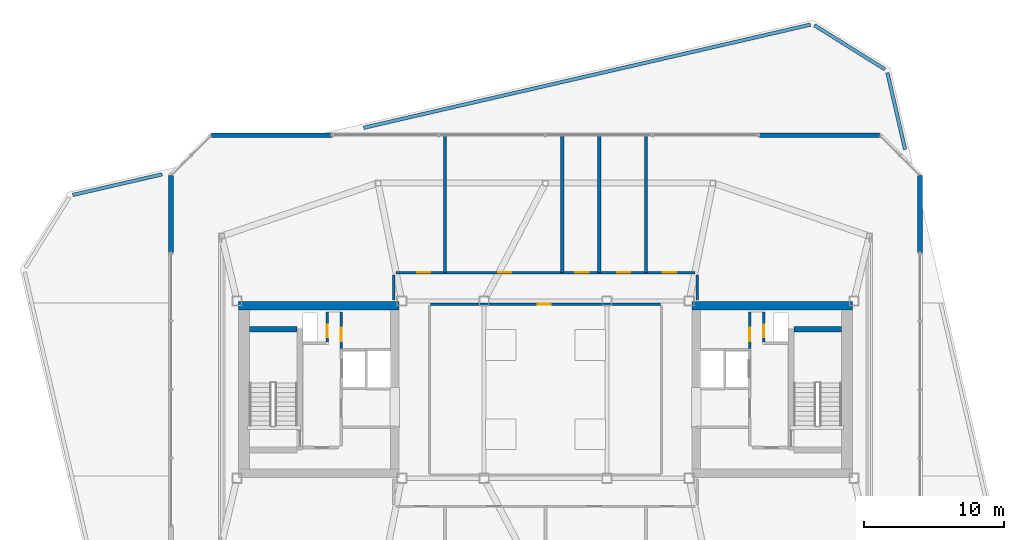
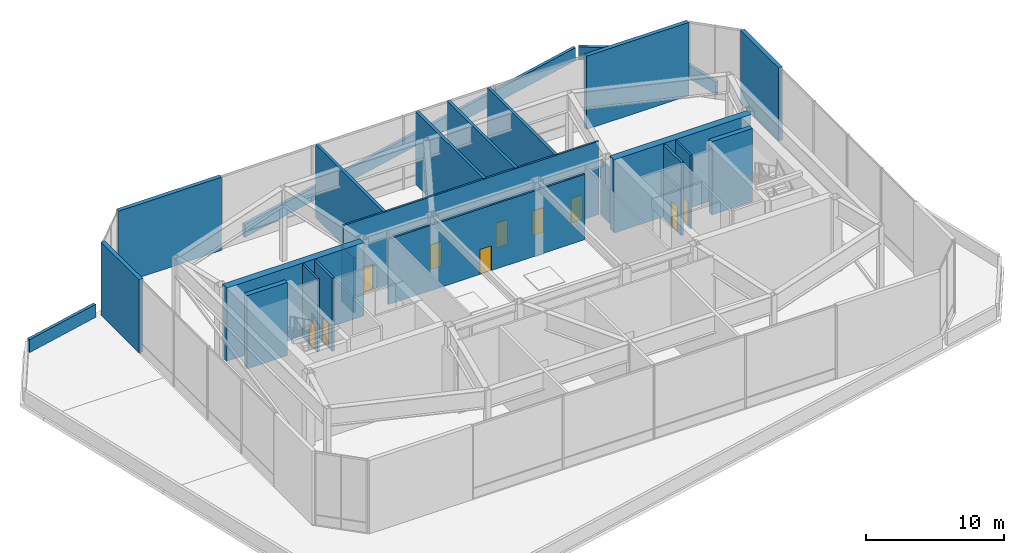
# One storey, part 21 of 25: 24 walls, 10 doors, 10 openings.
"""IFC4 building model written with IfcOpenShell, lengths in metres."""

from ifc_helpers import new_model, si_unit, direction, frame, frame_2d, origin, place, context, subcontext, project, spatial, rectangle, extrude, material, layer, layer_set, type_object, element, fill, save


model = new_model("IFC4")

# Units and contexts
model_context = context("Model", 3, precision=1e-05, world=origin(), true_north=direction((0.0, 1.0)))
body_context = subcontext(model_context, "Body", "Model", "MODEL_VIEW")
ifc_project = project(units=[si_unit("LENGTHUNIT", "METRE"), si_unit("AREAUNIT", "SQUARE_METRE"), si_unit("VOLUMEUNIT", "CUBIC_METRE"), si_unit("PLANEANGLEUNIT", "RADIAN"), si_unit("MASSUNIT", "GRAM", prefix="KILO")], contexts=[model_context])

# Site, building, storey
site_placement = place(None, origin())
site = spatial("IfcSite", under=ifc_project, at=site_placement, CompositionType="ELEMENT")
building_placement = place(site_placement, origin())
building = spatial("IfcBuilding", under=site, at=building_placement, Name="Tavrogorsk Clinical Tower", CompositionType="ELEMENT")
storey_placement = place(building_placement, frame((0.0, 0.0, 333.0)))
storey = spatial("IfcBuildingStorey", under=building, at=storey_placement, Name="L78", CompositionType="ELEMENT", Elevation=333.0)

# Walls
ifc_material_1 = material(Name="Concrete B45 acoustic studio wall", Category="concrete")
ifc_layer_1 = layer(ifc_material_1, 0.239990234375)
ifc_layer_set_1 = layer_set([ifc_layer_1], Name="Concrete B45 acoustic studio wall")
wall_type_1 = type_object("IfcWallType", Name="AcousticWall_240", PredefinedType="PARTITIONING", material=ifc_layer_set_1)
for number, where, z_axis, x_axis, name in (
    (1, (-7.199951171875, 8.385009765625, 0.0), (0.0, 0.0, 1.0), (0.0, 1.0, 0.0), "L78 Crown Partition 3"),
    (2, (7.199951171875, 8.385009765625, 0.0), (0.0, 0.0, 1.0), (0.0, 1.0, 0.0), "L78 Crown Partition 4"),
    (3, (1.199951171875, 8.385009765625, 0.0), (0.0, 0.0, 1.0), (0.0, 1.0, 0.0), "L78 Crown Partition 6"),
    (4, (3.85009765625, 8.385009765625, 0.0), (0.0, 0.0, 1.0), (0.0, 1.0, 0.0), "L78 Crown Partition 7"),
):
    element("IfcWall", number, at=place(storey_placement, frame(where, z_axis=z_axis, x_axis=x_axis)), inside=storey, type_object=wall_type_1, Name=name, PredefinedType="PARTITIONING", context=body_context, shape_type="SweptSolid", body=[
        extrude(rectangle(XDim=9.85498046875, YDim=0.239990234375, at=frame_2d((4.927490234375, 0.0))), origin(), (0.0, 0.0, 1.0), 6.5),
    ])

# Wall, opening, door
ifc_material_2 = material(Name="Concrete B60", Category="concrete")
ifc_layer_2 = layer(ifc_material_2, 0.199951171875)
ifc_layer_set_2 = layer_set([ifc_layer_2], Name="Concrete B60")
wall_type_2 = type_object("IfcWallType", Name="CoreFireWall_200", PredefinedType="SOLIDWALL", material=ifc_layer_set_2)
wall_1_placement = place(storey_placement, frame((-14.639892578125, 2.9599609375, 0.0), z_axis=(0.0, 0.0, 1.0), x_axis=(0.0, 1.0, 0.0)))
wall_1 = element("IfcWall", 5, at=wall_1_placement, inside=storey, type_object=wall_type_2, Name="L78 Core West North Core Room East Wall", PredefinedType="SOLIDWALL", context=body_context, shape_type="SweptSolid", body=[
    extrude(rectangle(XDim=2.60009765625, YDim=0.199951171875, at=frame_2d((1.300048828125, 0.0))), origin(), (0.0, 0.0, 1.0), 6.5),
])
opening_1_placement = place(wall_1_placement, frame((0.52001953125, 0.0, 0.0)))
opening_1 = element("IfcOpeningElement", 6, at=opening_1_placement, cuts=wall_1, Name="Opening ID-02", PredefinedType="OPENING", context=body_context, shape_type="SweptSolid", body=[
    extrude(rectangle(XDim=0.949951171875, YDim=2.199951171875, at=frame_2d((0.47509765625, 1.10009765625))), frame((0.0, 0.10986328125, 0.0), z_axis=(0.0, -1.0, 0.0), x_axis=(1.0, 0.0, 0.0)), (0.0, 0.0, 1.0), 0.219970703125),
])
ifc_material_3 = material(Name="Laminated timber leaf on aluminium frame", Category="wood")
door_type_1 = type_object("IfcDoorType", Name="InteriorDoor_ID02_950", OperationType="NOTDEFINED", PredefinedType="DOOR", material=ifc_material_3)
door_1_placement = place(opening_1_placement, origin())
door_1 = element("IfcDoor", 7, at=door_1_placement, inside=storey, type_object=door_type_1, Name="L78 Core West Core Telemetry Room Door", OperationType="SINGLE_SWING_LEFT", OverallHeight=2.199951171875, OverallWidth=0.949951171875, PredefinedType="DOOR", context=body_context, shape_type="SweptSolid", body=[
    extrude(rectangle(XDim=0.949951171875, YDim=2.199951171875, at=frame_2d((0.47509765625, 1.10009765625))), frame((0.0, 0.02490234375, 0.0), z_axis=(0.0, -1.0, 0.0), x_axis=(1.0, 0.0, 0.0)), (0.0, 0.0, 1.0), 0.050048828125),
])
fill(opening_1, door_1)

wall_2_placement = place(storey_placement, frame((14.639892578125, 2.9599609375, 0.0), z_axis=(0.0, 0.0, 1.0), x_axis=(0.0, 1.0, 0.0)))
wall_2 = element("IfcWall", 8, at=wall_2_placement, inside=storey, type_object=wall_type_2, Name="L78 Core East North Core Room East Wall", PredefinedType="SOLIDWALL", context=body_context, shape_type="SweptSolid", body=[
    extrude(rectangle(XDim=2.60009765625, YDim=0.199951171875, at=frame_2d((1.300048828125, 0.0))), origin(), (0.0, 0.0, 1.0), 6.5),
])
opening_2_placement = place(wall_2_placement, frame((0.52001953125, 0.0, 0.0)))
opening_2 = element("IfcOpeningElement", 9, at=opening_2_placement, cuts=wall_2, Name="Opening ID-02", PredefinedType="OPENING", context=body_context, shape_type="SweptSolid", body=[
    extrude(rectangle(XDim=0.949951171875, YDim=2.199951171875, at=frame_2d((0.47509765625, 1.10009765625))), frame((0.0, 0.10986328125, 0.0), z_axis=(0.0, -1.0, 0.0), x_axis=(1.0, 0.0, 0.0)), (0.0, 0.0, 1.0), 0.219970703125),
])
door_2_placement = place(opening_2_placement, origin())
door_2 = element("IfcDoor", 10, at=door_2_placement, inside=storey, type_object=door_type_1, Name="L78 Core East Core Telemetry Room Door", OperationType="SINGLE_SWING_LEFT", OverallHeight=2.199951171875, OverallWidth=0.949951171875, PredefinedType="DOOR", context=body_context, shape_type="SweptSolid", body=[
    extrude(rectangle(XDim=0.949951171875, YDim=2.199951171875, at=frame_2d((0.47509765625, 1.10009765625))), frame((0.0, 0.02490234375, 0.0), z_axis=(0.0, -1.0, 0.0), x_axis=(1.0, 0.0, 0.0)), (0.0, 0.0, 1.0), 0.050048828125),
])
fill(opening_2, door_2)

# Wall
ifc_material_4 = material(Name="Lightweight concrete blockwork B15", Category="masonry")
ifc_layer_3 = layer(ifc_material_4, 0.159912109375)
ifc_layer_set_3 = layer_set([ifc_layer_3], Name="Lightweight concrete blockwork B15")
wall_type_3 = type_object("IfcWallType", Name="PartitionWall_160", PredefinedType="PARTITIONING", material=ifc_layer_set_3)
wall_3_placement = place(storey_placement, frame((-10.8798828125, 6.419921875, 0.0), z_axis=(0.0, 0.0, 1.0), x_axis=(0.0, 1.0, 0.0)))
element("IfcWall", 11, at=wall_3_placement, inside=storey, type_object=wall_type_3, Name="L78 Crown Corridor Wall 02", PredefinedType="PARTITIONING", context=body_context, shape_type="SweptSolid", body=[
    extrude(rectangle(XDim=1.795166015625, YDim=0.159912109375, at=frame_2d((0.8974609375, 0.0))), origin(), (0.0, 0.0, 1.0), 4.89501953125),
])

# Wall, openings, doors
wall_4_placement = place(storey_placement, frame((-10.715087890625, 8.3798828125, 0.0), z_axis=(0.0, 0.0, 1.0), x_axis=(1.0, 0.0, 0.0)))
wall_4 = element("IfcWall", 12, at=wall_4_placement, inside=storey, type_object=wall_type_3, Name="L78 Crown Corridor Wall 03", PredefinedType="PARTITIONING", context=body_context, shape_type="SweptSolid", body=[
    extrude(rectangle(XDim=21.43017578125, YDim=0.159912109375, at=frame_2d((10.715087890625, 0.0))), origin(), (0.0, 0.0, 1.0), 6.5),
])
opening_3_placement = place(wall_4_placement, frame((7.324951171875, 0.0, 0.0)))
opening_3 = element("IfcOpeningElement", 13, at=opening_3_placement, cuts=wall_4, Name="Opening ID-02", PredefinedType="OPENING", context=body_context, shape_type="SweptSolid", body=[
    extrude(rectangle(XDim=0.949951171875, YDim=2.199951171875, at=frame_2d((0.47509765625, 1.10009765625))), frame((0.0, 0.08984375, 0.0), z_axis=(0.0, -1.0, 0.0), x_axis=(1.0, 0.0, 0.0)), (0.0, 0.0, 1.0), 0.179931640625),
])
opening_4_placement = place(wall_4_placement, frame((12.85009765625, 0.0, 0.0)))
opening_4 = element("IfcOpeningElement", 14, at=opening_4_placement, cuts=wall_4, Name="Opening ID-02", PredefinedType="OPENING", context=body_context, shape_type="SweptSolid", body=[
    extrude(rectangle(XDim=0.949951171875, YDim=2.199951171875, at=frame_2d((0.47509765625, 1.10009765625))), frame((0.0, 0.08984375, 0.0), z_axis=(0.0, -1.0, 0.0), x_axis=(1.0, 0.0, 0.0)), (0.0, 0.0, 1.0), 0.179931640625),
])
opening_5_placement = place(wall_4_placement, frame((15.85009765625, 0.0, 0.0)))
opening_5 = element("IfcOpeningElement", 15, at=opening_5_placement, cuts=wall_4, Name="Opening ID-02", PredefinedType="OPENING", context=body_context, shape_type="SweptSolid", body=[
    extrude(rectangle(XDim=0.949951171875, YDim=2.199951171875, at=frame_2d((0.47509765625, 1.10009765625))), frame((0.0, 0.08984375, 0.0), z_axis=(0.0, -1.0, 0.0), x_axis=(1.0, 0.0, 0.0)), (0.0, 0.0, 1.0), 0.179931640625),
])
opening_6_placement = place(wall_4_placement, frame((1.51904296875, 0.0, 0.0)))
opening_6 = element("IfcOpeningElement", 16, at=opening_6_placement, cuts=wall_4, Name="Opening ID-02", PredefinedType="OPENING", context=body_context, shape_type="SweptSolid", body=[
    extrude(rectangle(XDim=0.949951171875, YDim=2.199951171875, at=frame_2d((0.47509765625, 1.10009765625))), frame((0.0, 0.08984375, 0.0), z_axis=(0.0, -1.0, 0.0), x_axis=(1.0, 0.0, 0.0)), (0.0, 0.0, 1.0), 0.179931640625),
])
opening_7_placement = place(wall_4_placement, frame((19.130859375, 0.0, 0.0)))
opening_7 = element("IfcOpeningElement", 17, at=opening_7_placement, cuts=wall_4, Name="Opening ID-02", PredefinedType="OPENING", context=body_context, shape_type="SweptSolid", body=[
    extrude(rectangle(XDim=0.949951171875, YDim=2.199951171875, at=frame_2d((0.47509765625, 1.10009765625))), frame((0.0, 0.08984375, 0.0), z_axis=(0.0, -1.0, 0.0), x_axis=(1.0, 0.0, 0.0)), (0.0, 0.0, 1.0), 0.179931640625),
])
door_3_placement = place(opening_3_placement, origin())
door_3 = element("IfcDoor", 18, at=door_3_placement, inside=storey, type_object=door_type_1, Name="L78 North-West Panorama Reading Room Door", OperationType="SINGLE_SWING_RIGHT", OverallHeight=2.199951171875, OverallWidth=0.949951171875, PredefinedType="DOOR", context=body_context, shape_type="SweptSolid", body=[
    extrude(rectangle(XDim=0.949951171875, YDim=2.199951171875, at=frame_2d((0.47509765625, 1.10009765625))), frame((0.0, 0.02490234375, 0.0), z_axis=(0.0, -1.0, 0.0), x_axis=(1.0, 0.0, 0.0)), (0.0, 0.0, 1.0), 0.050048828125),
])
fill(opening_3, door_3)
door_4_placement = place(opening_4_placement, origin())
door_4 = element("IfcDoor", 19, at=door_4_placement, inside=storey, type_object=door_type_1, Name="L78 Observatory Accessible Lavatory Door", OperationType="SINGLE_SWING_LEFT", OverallHeight=2.199951171875, OverallWidth=0.949951171875, PredefinedType="DOOR", context=body_context, shape_type="SweptSolid", body=[
    extrude(rectangle(XDim=0.949951171875, YDim=2.199951171875, at=frame_2d((0.47509765625, 1.10009765625))), frame((0.0, 0.02490234375, 0.0), z_axis=(0.0, -1.0, 0.0), x_axis=(1.0, 0.0, 0.0)), (0.0, 0.0, 1.0), 0.050048828125),
])
fill(opening_4, door_4)
door_5_placement = place(opening_5_placement, origin())
door_5 = element("IfcDoor", 20, at=door_5_placement, inside=storey, type_object=door_type_1, Name="L78 Sky Seminar Study Door", OperationType="SINGLE_SWING_RIGHT", OverallHeight=2.199951171875, OverallWidth=0.949951171875, PredefinedType="DOOR", context=body_context, shape_type="SweptSolid", body=[
    extrude(rectangle(XDim=0.949951171875, YDim=2.199951171875, at=frame_2d((0.47509765625, 1.10009765625))), frame((0.0, 0.02490234375, 0.0), z_axis=(0.0, -1.0, 0.0), x_axis=(1.0, 0.0, 0.0)), (0.0, 0.0, 1.0), 0.050048828125),
])
fill(opening_5, door_5)
door_6_placement = place(opening_6_placement, origin())
door_6 = element("IfcDoor", 21, at=door_6_placement, inside=storey, type_object=door_type_1, Name="L78 West Catering Pantry Door", OperationType="SINGLE_SWING_LEFT", OverallHeight=2.199951171875, OverallWidth=0.949951171875, PredefinedType="DOOR", context=body_context, shape_type="SweptSolid", body=[
    extrude(rectangle(XDim=0.949951171875, YDim=2.199951171875, at=frame_2d((0.47509765625, 1.10009765625))), frame((0.0, 0.02490234375, 0.0), z_axis=(0.0, -1.0, 0.0), x_axis=(1.0, 0.0, 0.0)), (0.0, 0.0, 1.0), 0.050048828125),
])
fill(opening_6, door_6)
door_7_placement = place(opening_7_placement, origin())
door_7 = element("IfcDoor", 22, at=door_7_placement, inside=storey, type_object=door_type_1, Name="L78 East Acoustic Instrumentation Room Door", OperationType="SINGLE_SWING_RIGHT", OverallHeight=2.199951171875, OverallWidth=0.949951171875, PredefinedType="DOOR", context=body_context, shape_type="SweptSolid", body=[
    extrude(rectangle(XDim=0.949951171875, YDim=2.199951171875, at=frame_2d((0.47509765625, 1.10009765625))), frame((0.0, 0.02490234375, 0.0), z_axis=(0.0, -1.0, 0.0), x_axis=(1.0, 0.0, 0.0)), (0.0, 0.0, 1.0), 0.050048828125),
])
fill(opening_7, door_7)

# Wall
wall_5_placement = place(storey_placement, frame((10.8798828125, 8.215087890625, 0.0), z_axis=(0.0, 0.0, 1.0), x_axis=(0.0, -1.0, 0.0)))
element("IfcWall", 23, at=wall_5_placement, inside=storey, type_object=wall_type_3, Name="L78 Crown Corridor Wall 04", PredefinedType="PARTITIONING", context=body_context, shape_type="SweptSolid", body=[
    extrude(rectangle(XDim=1.795166015625, YDim=0.159912109375, at=frame_2d((0.8974609375, 0.0))), origin(), (0.0, 0.0, 1.0), 4.89501953125),
])

# Wall, opening, door
wall_6_placement = place(storey_placement, frame((8.235107421875, 6.1201171875, 0.0), z_axis=(0.0, 0.0, 1.0), x_axis=(-1.0, 0.0, 0.0)))
wall_6 = element("IfcWall", 24, at=wall_6_placement, inside=storey, type_object=wall_type_3, Name="L78 Crown Corridor Wall 08", PredefinedType="PARTITIONING", context=body_context, shape_type="SweptSolid", body=[
    extrude(rectangle(XDim=16.47021484375, YDim=0.159912109375, at=frame_2d((8.235107421875, 0.0))), origin(), (0.0, 0.0, 1.0), 5.794921875),
])
opening_8_placement = place(wall_6_placement, frame((7.844970703125, 0.0, 0.0)))
opening_8 = element("IfcOpeningElement", 25, at=opening_8_placement, cuts=wall_6, Name="Opening ID-02", PredefinedType="OPENING", context=body_context, shape_type="SweptSolid", body=[
    extrude(rectangle(XDim=0.949951171875, YDim=2.199951171875, at=frame_2d((0.47509765625, 1.10009765625))), frame((0.0, 0.08984375, 0.0), z_axis=(0.0, -1.0, 0.0), x_axis=(1.0, 0.0, 0.0)), (0.0, 0.0, 1.0), 0.179931640625),
])
door_8_placement = place(opening_8_placement, origin())
door_8 = element("IfcDoor", 26, at=door_8_placement, inside=storey, type_object=door_type_1, Name="L78 Illuminated Tuned Mass Damper Chamber Door", OperationType="SINGLE_SWING_LEFT", OverallHeight=2.199951171875, OverallWidth=0.949951171875, PredefinedType="DOOR", context=body_context, shape_type="SweptSolid", body=[
    extrude(rectangle(XDim=0.949951171875, YDim=2.199951171875, at=frame_2d((0.47509765625, 1.10009765625))), frame((0.0, 0.02490234375, 0.0), z_axis=(0.0, -1.0, 0.0), x_axis=(1.0, 0.0, 0.0)), (0.0, 0.0, 1.0), 0.050048828125),
])
fill(opening_8, door_8)

# Walls
ifc_material_5 = material(Name="Precast concrete B45 with limestone cladding", Category="masonry")
ifc_layer_4 = layer(ifc_material_5, 0.340087890625)
ifc_layer_set_4 = layer_set([ifc_layer_4], Name="Precast concrete B45 with limestone cladding")
wall_type_4 = type_object("IfcWallType", Name="PrecastLimestoneWall_340", PredefinedType="STANDARD", material=ifc_layer_set_4)
wall_7_placement = place(storey_placement, frame((-26.830078125, 9.811279296875, 0.0), z_axis=(0.0, 0.0, 1.0), x_axis=(0.0, 1.0, 0.0)))
element("IfcWall", 27, at=wall_7_placement, inside=storey, type_object=wall_type_4, Name="L78 Damper Lantern Pier 2-2", PredefinedType="STANDARD", context=body_context, shape_type="SweptSolid", body=[
    extrude(rectangle(XDim=5.518310546875, YDim=0.340087890625, at=frame_2d((2.75927734375, 0.0))), origin(), (0.0, 0.0, 1.0), 6.5),
])
wall_8_placement = place(storey_placement, frame((-23.9296875, 18.22998046875, 0.0), z_axis=(0.0, 0.0, 1.0), x_axis=(1.0, 0.0, 0.0)))
element("IfcWall", 28, at=wall_8_placement, inside=storey, type_object=wall_type_4, Name="L78 Damper Lantern Pier 4-1", PredefinedType="STANDARD", context=body_context, shape_type="SweptSolid", body=[
    extrude(rectangle(XDim=8.614990234375, YDim=0.340087890625, at=frame_2d((4.3076171875, 0.0))), origin(), (0.0, 0.0, 1.0), 6.5),
])
wall_9_placement = place(storey_placement, frame((15.3154296875, 18.22998046875, 0.0), z_axis=(0.0, 0.0, 1.0), x_axis=(1.0, 0.0, 0.0)))
element("IfcWall", 29, at=wall_9_placement, inside=storey, type_object=wall_type_4, Name="L78 Damper Lantern Pier 4-2", PredefinedType="STANDARD", context=body_context, shape_type="SweptSolid", body=[
    extrude(rectangle(XDim=8.6142578125, YDim=0.340087890625, at=frame_2d((4.30712890625, 0.0))), origin(), (0.0, 0.0, 1.0), 6.5),
])
wall_10_placement = place(storey_placement, frame((26.830078125, 15.32958984375, 0.0), z_axis=(0.0, 0.0, 1.0), x_axis=(0.0, -1.0, 0.0)))
element("IfcWall", 30, at=wall_10_placement, inside=storey, type_object=wall_type_4, Name="L78 Damper Lantern Pier 6-1", PredefinedType="STANDARD", context=body_context, shape_type="SweptSolid", body=[
    extrude(rectangle(XDim=5.51904296875, YDim=0.340087890625, at=frame_2d((2.759521484375, 0.0))), origin(), (0.0, 0.0, 1.0), 6.5),
])
ifc_material_6 = material(Name="Concrete B60", Category="concrete")
ifc_layer_5 = layer(ifc_material_6, 0.25)
ifc_layer_set_5 = layer_set([ifc_layer_5], Name="Concrete B60")
wall_type_5 = type_object("IfcWallType", Name="RoofParapetWall_250", PredefinedType="PARAPET", material=ifc_layer_set_5)
wall_11_placement = place(storey_placement, frame((-33.872314453125, 13.94384765625, 0.0), z_axis=(0.0, 0.0, 1.0), x_axis=(0.974368645226, 0.224957203043, 0.0)))
element("IfcWall", 31, at=wall_11_placement, inside=storey, type_object=wall_type_5, Name="L78 Setback Coping Parapet 4", PredefinedType="PARAPET", context=body_context, shape_type="SweptSolid", body=[
    extrude(rectangle(XDim=6.5703125, YDim=0.25, at=frame_2d((3.28515625, 0.0))), origin(), (0.0, 0.0, 1.0), 1.14990234375),
])
wall_12_placement = place(storey_placement, frame((-13.0283203125, 18.756103515625, 0.0), z_axis=(0.0, 0.0, 1.0), x_axis=(0.974370527604, 0.224949049647, 0.0)))
element("IfcWall", 32, at=wall_12_placement, inside=storey, type_object=wall_type_5, Name="L78 Setback Coping Parapet 5", PredefinedType="PARAPET", context=body_context, shape_type="SweptSolid", body=[
    extrude(rectangle(XDim=32.855712890625, YDim=0.25, at=frame_2d((16.427734375, 0.0))), origin(), (0.0, 0.0, 1.0), 1.14990234375),
])
wall_13_placement = place(storey_placement, frame((19.277099609375, 26.09814453125, 0.0), z_axis=(0.0, 0.0, 1.0), x_axis=(0.84804207564, -0.529928898952, 0.0)))
element("IfcWall", 33, at=wall_13_placement, inside=storey, type_object=wall_type_5, Name="L78 Setback Coping Parapet 6", PredefinedType="PARAPET", context=body_context, shape_type="SweptSolid", body=[
    extrude(rectangle(XDim=5.953125, YDim=0.25, at=frame_2d((2.9765625, 0.0))), origin(), (0.0, 0.0, 1.0), 1.14990234375),
])
wall_14_placement = place(storey_placement, frame((24.49755859375, 22.70263671875, 0.0), z_axis=(0.0, 0.0, 1.0), x_axis=(0.224960650299, -0.974367849335, 0.0)))
element("IfcWall", 34, at=wall_14_placement, inside=storey, type_object=wall_type_5, Name="L78 Setback Coping Parapet 7", PredefinedType="PARAPET", context=body_context, shape_type="SweptSolid", body=[
    extrude(rectangle(XDim=5.64111328125, YDim=0.25, at=frame_2d((2.820556640625, 0.0))), origin(), (0.0, 0.0, 1.0), 1.14990234375),
])

# Wall, opening, door
ifc_material_7 = material(Name="Lightweight concrete blockwork B25", Category="masonry")
ifc_layer_6 = layer(ifc_material_7, 0.159912109375)
ifc_layer_set_6 = layer_set([ifc_layer_6], Name="Lightweight concrete blockwork B25")
wall_type_6 = type_object("IfcWallType", Name="ShaftWall_160", PredefinedType="PARTITIONING", material=ifc_layer_set_6)
wall_15_placement = place(storey_placement, frame((-15.639892578125, 3.405029296875, 0.0), z_axis=(0.0, 0.0, 1.0), x_axis=(0.0, 1.0, 0.0)))
wall_15 = element("IfcWall", 35, at=wall_15_placement, inside=storey, type_object=wall_type_6, Name="L78 Core West Riser West Wall", PredefinedType="PARTITIONING", context=body_context, shape_type="SweptSolid", body=[
    extrude(rectangle(XDim=2.155029296875, YDim=0.159912109375, at=frame_2d((1.07763671875, 0.0))), origin(), (0.0, 0.0, 1.0), 6.5),
])
opening_9_placement = place(wall_15_placement, frame((0.35009765625, 0.0, 0.0)))
opening_9 = element("IfcOpeningElement", 36, at=opening_9_placement, cuts=wall_15, Name="Opening FD-02", PredefinedType="OPENING", context=body_context, shape_type="SweptSolid", body=[
    extrude(rectangle(XDim=0.89990234375, YDim=2.199951171875, at=frame_2d((0.449951171875, 1.10009765625))), frame((0.0, 0.08984375, 0.0), z_axis=(0.0, -1.0, 0.0), x_axis=(1.0, 0.0, 0.0)), (0.0, 0.0, 1.0), 0.179931640625),
])
ifc_material_8 = material(Name="Galvanised steel fire-rated door assembly", Category="steel")
door_type_2 = type_object("IfcDoorType", Name="FireDoor_FD02_900", OperationType="NOTDEFINED", PredefinedType="DOOR", material=ifc_material_8)
door_9_placement = place(opening_9_placement, origin())
door_9 = element("IfcDoor", 37, at=door_9_placement, inside=storey, type_object=door_type_2, Name="L78 Core West Electrical Riser Access Door", OperationType="SINGLE_SWING_LEFT", OverallHeight=2.199951171875, OverallWidth=0.89990234375, PredefinedType="DOOR", context=body_context, shape_type="SweptSolid", body=[
    extrude(rectangle(XDim=0.89990234375, YDim=2.199951171875, at=frame_2d((0.449951171875, 1.10009765625))), frame((0.0, 0.02490234375, 0.0), z_axis=(0.0, -1.0, 0.0), x_axis=(1.0, 0.0, 0.0)), (0.0, 0.0, 1.0), 0.050048828125),
])
fill(opening_9, door_9)

wall_16_placement = place(storey_placement, frame((15.639892578125, 3.405029296875, 0.0), z_axis=(0.0, 0.0, 1.0), x_axis=(0.0, 1.0, 0.0)))
wall_16 = element("IfcWall", 38, at=wall_16_placement, inside=storey, type_object=wall_type_6, Name="L78 Core East Riser West Wall", PredefinedType="PARTITIONING", context=body_context, shape_type="SweptSolid", body=[
    extrude(rectangle(XDim=2.155029296875, YDim=0.159912109375, at=frame_2d((1.07763671875, 0.0))), origin(), (0.0, 0.0, 1.0), 6.5),
])
opening_10_placement = place(wall_16_placement, frame((0.35009765625, 0.0, 0.0)))
opening_10 = element("IfcOpeningElement", 39, at=opening_10_placement, cuts=wall_16, Name="Opening FD-02", PredefinedType="OPENING", context=body_context, shape_type="SweptSolid", body=[
    extrude(rectangle(XDim=0.89990234375, YDim=2.199951171875, at=frame_2d((0.449951171875, 1.10009765625))), frame((0.0, 0.08984375, 0.0), z_axis=(0.0, -1.0, 0.0), x_axis=(1.0, 0.0, 0.0)), (0.0, 0.0, 1.0), 0.179931640625),
])
door_10_placement = place(opening_10_placement, origin())
door_10 = element("IfcDoor", 40, at=door_10_placement, inside=storey, type_object=door_type_2, Name="L78 Core East Electrical Riser Access Door", OperationType="SINGLE_SWING_LEFT", OverallHeight=2.199951171875, OverallWidth=0.89990234375, PredefinedType="DOOR", context=body_context, shape_type="SweptSolid", body=[
    extrude(rectangle(XDim=0.89990234375, YDim=2.199951171875, at=frame_2d((0.449951171875, 1.10009765625))), frame((0.0, 0.02490234375, 0.0), z_axis=(0.0, -1.0, 0.0), x_axis=(1.0, 0.0, 0.0)), (0.0, 0.0, 1.0), 0.050048828125),
])
fill(opening_10, door_10)

# Walls
ifc_material_9 = material(Name="Concrete B80", Category="concrete")
ifc_layer_7 = layer(ifc_material_9, 0.39990234375)
ifc_layer_set_7 = layer_set([ifc_layer_7], Name="Concrete B80")
wall_type_7 = type_object("IfcWallType", Name="ShearWall_400", PredefinedType="SHEAR", material=ifc_layer_set_7)
for number, where, z_axis, x_axis, name in (
    (41, (-21.199951171875, 4.324951171875, 0.0), (0.0, 0.0, 1.0), (1.0, 0.0, 0.0), "L78 Core West Stair Shaft North Shear Wall"),
    (42, (17.800048828125, 4.324951171875, 0.0), (0.0, 0.0, 1.0), (1.0, 0.0, 0.0), "L78 Core East Stair Shaft North Shear Wall"),
):
    element("IfcWall", number, at=place(storey_placement, frame(where, z_axis=z_axis, x_axis=x_axis)), inside=storey, type_object=wall_type_7, Name=name, PredefinedType="SHEAR", context=body_context, shape_type="SweptSolid", body=[
        extrude(rectangle(XDim=3.39990234375, YDim=0.39990234375, at=frame_2d((1.699951171875, 0.0))), origin(), (0.0, 0.0, 1.0), 6.5),
    ])
ifc_material_10 = material(Name="Concrete B80", Category="concrete")
ifc_layer_8 = layer(ifc_material_10, 0.60009765625)
ifc_layer_set_8 = layer_set([ifc_layer_8], Name="Concrete B80")
wall_type_8 = type_object("IfcWallType", Name="ShearWall_600", PredefinedType="SHEAR", material=ifc_layer_set_8)
for number, where, z_axis, x_axis, name in (
    (43, (-22.0, 6.0, 0.0), (0.0, 0.0, 1.0), (1.0, 0.0, 0.0), "L78 Core West North Shear Wall"),
    (44, (10.5, 6.0, 0.0), (0.0, 0.0, 1.0), (1.0, 0.0, 0.0), "L78 Core East North Shear Wall"),
):
    element("IfcWall", number, at=place(storey_placement, frame(where, z_axis=z_axis, x_axis=x_axis)), inside=storey, type_object=wall_type_8, Name=name, PredefinedType="SHEAR", context=body_context, shape_type="SweptSolid", body=[
        extrude(rectangle(XDim=11.5, YDim=0.60009765625, at=frame_2d((5.75, 0.0))), origin(), (0.0, 0.0, 1.0), 6.5),
    ])

save(model, "model.ifc")
